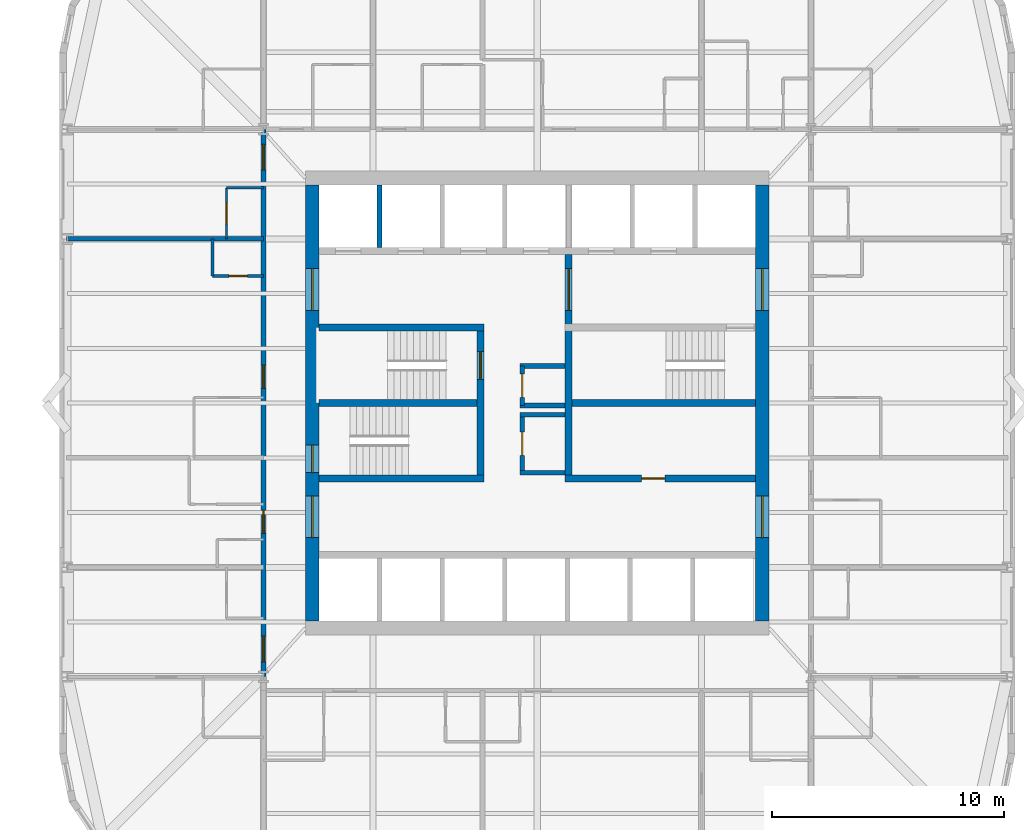
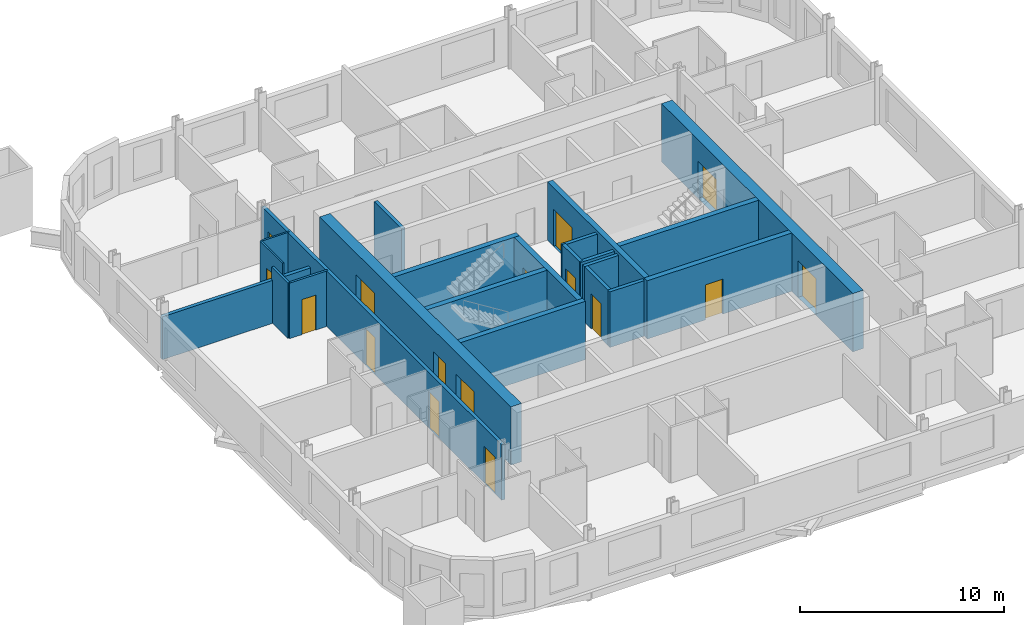
# One storey, part 4 of 9: 22 walls, 16 doors, 16 openings.
"""IFC4 building model written with IfcOpenShell, lengths in metres."""

from ifc_helpers import new_model, si_unit, direction, frame, frame_2d, origin, place, context, subcontext, project, spatial, rectangle, extrude, material, layer, layer_set, type_object, element, fill, save


model = new_model("IFC4")

# Units and contexts
model_context = context("Model", 3, precision=1e-05, world=origin(), true_north=direction((0.0, 1.0)))
body_context = subcontext(model_context, "Body", "Model", "MODEL_VIEW")
ifc_project = project(units=[si_unit("LENGTHUNIT", "METRE"), si_unit("AREAUNIT", "SQUARE_METRE"), si_unit("VOLUMEUNIT", "CUBIC_METRE"), si_unit("PLANEANGLEUNIT", "RADIAN"), si_unit("MASSUNIT", "GRAM", prefix="KILO")], contexts=[model_context])

# Site, building, storey
site_placement = place(None, origin())
site = spatial("IfcSite", under=ifc_project, at=site_placement, CompositionType="ELEMENT")
building_placement = place(site_placement, origin())
building = spatial("IfcBuilding", under=site, at=building_placement, Name="Turquesa Mirador Hotel Tower", CompositionType="ELEMENT")
storey_placement = place(building_placement, frame((0.0, 0.0, 124.89990234375)))
storey = spatial("IfcBuildingStorey", under=building, at=storey_placement, Name="L33", CompositionType="ELEMENT", Elevation=124.89990234375)

# Wall
ifc_material_1 = material(Name="Gypsum board on steel studs", Category="steel")
ifc_layer_1 = layer(ifc_material_1, 0.10009765625)
ifc_layer_set_1 = layer_set([ifc_layer_1], Name="BATHROOM WALL 100")
wall_type_1 = type_object("IfcWallType", Name="BATHROOM WALL 100", PredefinedType="PARTITIONING", material=ifc_layer_set_1)
wall_1_placement = place(storey_placement, frame((41.60009765625, 54.280029296875, 0.0), z_axis=(0.0, 0.0, 1.0), x_axis=(1.0, 0.0, 0.0)))
element("IfcWall", 1, at=wall_1_placement, inside=storey, type_object=wall_type_1, Name="Partition L33 041", PredefinedType="PARTITIONING", context=body_context, shape_type="SweptSolid", body=[
    extrude(rectangle(XDim=1.599853515625, YDim=0.10009765625, at=frame_2d((0.7998046875, 0.0))), origin(), (0.0, 0.0, 1.0), 3.330078125),
])

# Wall, opening, door
wall_2_placement = place(storey_placement, frame((41.60009765625, 52.080078125, 0.0), z_axis=(0.0, 0.0, 1.0), x_axis=(0.0, 1.0, 0.0)))
wall_2 = element("IfcWall", 2, at=wall_2_placement, inside=storey, type_object=wall_type_1, Name="Partition L33 048", PredefinedType="PARTITIONING", context=body_context, shape_type="SweptSolid", body=[
    extrude(rectangle(XDim=2.199951171875, YDim=0.10009765625, at=frame_2d((1.10009765625, 0.0))), origin(), (0.0, 0.0, 1.0), 3.330078125),
])
opening_1_placement = place(wall_2_placement, frame((0.64990234375, 0.0, 0.0)))
opening_1 = element("IfcOpeningElement", 3, at=opening_1_placement, cuts=wall_2, Name="Opening D06", PredefinedType="OPENING", context=body_context, shape_type="SweptSolid", body=[
    extrude(rectangle(XDim=0.89990234375, YDim=2.10009765625, at=frame_2d((0.449951171875, 1.050048828125))), frame((0.0, 0.06005859375, 0.0), z_axis=(0.0, -1.0, 0.0), x_axis=(1.0, 0.0, 0.0)), (0.0, 0.0, 1.0), 0.1201171875),
])
ifc_material_2 = material(Name="Laminate door", Category="wood")
door_type_1 = type_object("IfcDoorType", Name="DOOR 900X2100 WC", OperationType="SINGLE_SWING_LEFT", PredefinedType="DOOR", material=ifc_material_2)
door_1_placement = place(opening_1_placement, origin())
door_1 = element("IfcDoor", 4, at=door_1_placement, inside=storey, type_object=door_type_1, Name="Door 3312W", OperationType="SINGLE_SWING_LEFT", OverallHeight=2.10009765625, OverallWidth=0.89990234375, PredefinedType="DOOR", context=body_context, shape_type="SweptSolid", body=[
    extrude(rectangle(XDim=0.89990234375, YDim=2.10009765625, at=frame_2d((0.449951171875, 1.050048828125))), frame((0.0, 0.02490234375, 0.0), z_axis=(0.0, -1.0, 0.0), x_axis=(1.0, 0.0, 0.0)), (0.0, 0.0, 1.0), 0.050048828125),
])
fill(opening_1, door_1)

# Walls
ifc_material_3 = material(Name="Concrete C50/60", Category="concrete")
ifc_layer_2 = layer(ifc_material_3, 0.300048828125)
ifc_layer_set_2 = layer_set([ifc_layer_2], Name="CORE INNER WALL 300")
wall_type_2 = type_object("IfcWallType", Name="CORE INNER WALL 300", PredefinedType="SHEAR", material=ifc_layer_set_2)
for number, where, z_axis, x_axis, name in (
    (5, (45.60009765625, 48.25, 0.0), (0.0, 0.0, 1.0), (1.0, 0.0, 0.0), "Core wall MN-W"),
    (6, (45.60009765625, 41.75, 0.0), (0.0, 0.0, 1.0), (1.0, 0.0, 0.0), "Core wall MS-W"),
):
    element("IfcWall", number, at=place(storey_placement, frame(where, z_axis=z_axis, x_axis=x_axis)), inside=storey, type_object=wall_type_2, Name=name, PredefinedType="SHEAR", context=body_context, shape_type="SweptSolid", body=[
        extrude(rectangle(XDim=7.099853515625, YDim=0.300048828125, at=frame_2d((3.5498046875, 0.0))), origin(), (0.0, 0.0, 1.0), 3.5),
    ])

# Wall, opening, door
wall_3_placement = place(storey_placement, frame((56.199951171875, 41.75, 0.0), z_axis=(0.0, 0.0, 1.0), x_axis=(1.0, 0.0, 0.0)))
wall_3 = element("IfcWall", 7, at=wall_3_placement, inside=storey, type_object=wall_type_2, Name="Core wall MS-E", PredefinedType="SHEAR", context=body_context, shape_type="SweptSolid", body=[
    extrude(rectangle(XDim=8.199951171875, YDim=0.300048828125, at=frame_2d((4.10009765625, 0.0))), origin(), (0.0, 0.0, 1.0), 3.5),
])
opening_2_placement = place(wall_3_placement, frame((3.300048828125, 0.0, 0.0)))
opening_2 = element("IfcOpeningElement", 8, at=opening_2_placement, cuts=wall_3, Name="Opening D05", PredefinedType="OPENING", context=body_context, shape_type="SweptSolid", body=[
    extrude(rectangle(XDim=1.0, YDim=2.10009765625, at=frame_2d((0.5, 1.050048828125))), frame((0.0, 0.159912109375, 0.0), z_axis=(0.0, -1.0, 0.0), x_axis=(1.0, 0.0, 0.0)), (0.0, 0.0, 1.0), 0.320068359375),
])
ifc_material_4 = material(Name="Steel fire door", Category="steel")
door_type_2 = type_object("IfcDoorType", Name="DOOR 1000X2100 SERVICE", OperationType="SINGLE_SWING_LEFT", PredefinedType="DOOR", material=ifc_material_4)
door_2_placement = place(opening_2_placement, origin())
door_2 = element("IfcDoor", 9, at=door_2_placement, inside=storey, type_object=door_type_2, Name="Housekeeping room door", OperationType="SINGLE_SWING_LEFT", OverallHeight=2.10009765625, OverallWidth=1.0, PredefinedType="DOOR", context=body_context, shape_type="SweptSolid", body=[
    extrude(rectangle(XDim=1.0, YDim=2.10009765625, at=frame_2d((0.5, 1.050048828125))), frame((0.0, 0.02490234375, 0.0), z_axis=(0.0, -1.0, 0.0), x_axis=(1.0, 0.0, 0.0)), (0.0, 0.0, 1.0), 0.050048828125),
])
fill(opening_2, door_2)

wall_4_placement = place(storey_placement, frame((52.550048828125, 41.89990234375, 0.0), z_axis=(0.0, 0.0, 1.0), x_axis=(0.0, 1.0, 0.0)))
wall_4 = element("IfcWall", 10, at=wall_4_placement, inside=storey, type_object=wall_type_2, Name="Core wall PW", PredefinedType="SHEAR", context=body_context, shape_type="SweptSolid", body=[
    extrude(rectangle(XDim=6.2001953125, YDim=0.300048828125, at=frame_2d((3.10009765625, 0.0))), origin(), (0.0, 0.0, 1.0), 3.5),
])
opening_3_placement = place(wall_4_placement, frame((4.125, 0.0, 0.0)))
opening_3 = element("IfcOpeningElement", 11, at=opening_3_placement, cuts=wall_4, Name="Opening D03", PredefinedType="OPENING", context=body_context, shape_type="SweptSolid", body=[
    extrude(rectangle(XDim=1.199951171875, YDim=2.199951171875, at=frame_2d((0.60009765625, 1.10009765625))), frame((0.0, 0.159912109375, 0.0), z_axis=(0.0, -1.0, 0.0), x_axis=(1.0, 0.0, 0.0)), (0.0, 0.0, 1.0), 0.320068359375),
])
ifc_material_5 = material(Name="Steel fire door", Category="steel")
door_type_3 = type_object("IfcDoorType", Name="DOOR 1200X2200 STAIR", OperationType="SINGLE_SWING_LEFT", PredefinedType="DOOR", material=ifc_material_5)
door_3_placement = place(opening_3_placement, origin())
door_3 = element("IfcDoor", 12, at=door_3_placement, inside=storey, type_object=door_type_3, Name="Stair ST1 door", OperationType="SINGLE_SWING_LEFT", OverallHeight=2.199951171875, OverallWidth=1.199951171875, PredefinedType="DOOR", context=body_context, shape_type="SweptSolid", body=[
    extrude(rectangle(XDim=1.199951171875, YDim=2.199951171875, at=frame_2d((0.60009765625, 1.10009765625))), frame((0.0, 0.02490234375, 0.0), z_axis=(0.0, -1.0, 0.0), x_axis=(1.0, 0.0, 0.0)), (0.0, 0.0, 1.0), 0.050048828125),
])
fill(opening_3, door_3)

wall_5_placement = place(storey_placement, frame((56.35009765625, 41.89990234375, 0.0), z_axis=(0.0, 0.0, 1.0), x_axis=(0.0, 1.0, 0.0)))
wall_5 = element("IfcWall", 13, at=wall_5_placement, inside=storey, type_object=wall_type_2, Name="Core wall PE", PredefinedType="SHEAR", context=body_context, shape_type="SweptSolid", body=[
    extrude(rectangle(XDim=9.5, YDim=0.300048828125, at=frame_2d((4.75, 0.0))), origin(), (0.0, 0.0, 1.0), 3.5),
])
opening_4_placement = place(wall_5_placement, frame((7.10009765625, 0.0, 0.0)))
opening_4 = element("IfcOpeningElement", 14, at=opening_4_placement, cuts=wall_5, Name="Opening D04", PredefinedType="OPENING", context=body_context, shape_type="SweptSolid", body=[
    extrude(rectangle(XDim=1.800048828125, YDim=2.199951171875, at=frame_2d((0.89990234375, 1.10009765625))), frame((0.0, 0.159912109375, 0.0), z_axis=(0.0, -1.0, 0.0), x_axis=(1.0, 0.0, 0.0)), (0.0, 0.0, 1.0), 0.320068359375),
])
ifc_material_6 = material(Name="Steel fire door pair", Category="steel")
door_type_4 = type_object("IfcDoorType", Name="DOOR 1800X2200 PAIR", OperationType="DOUBLE_DOOR_SINGLE_SWING", PredefinedType="DOOR", material=ifc_material_6)
door_4_placement = place(opening_4_placement, origin())
door_4 = element("IfcDoor", 15, at=door_4_placement, inside=storey, type_object=door_type_4, Name="Firefighting lobby inner door", OperationType="DOUBLE_DOOR_SINGLE_SWING", OverallHeight=2.199951171875, OverallWidth=1.800048828125, PredefinedType="DOOR", context=body_context, shape_type="SweptSolid", body=[
    extrude(rectangle(XDim=1.800048828125, YDim=2.199951171875, at=frame_2d((0.89990234375, 1.10009765625))), frame((0.0, 0.02490234375, 0.0), z_axis=(0.0, -1.0, 0.0), x_axis=(1.0, 0.0, 0.0)), (0.0, 0.0, 1.0), 0.050048828125),
])
fill(opening_4, door_4)

# Walls
wall_6_placement = place(storey_placement, frame((45.60009765625, 45.0, 0.0), z_axis=(0.0, 0.0, 1.0), x_axis=(1.0, 0.0, 0.0)))
element("IfcWall", 16, at=wall_6_placement, inside=storey, type_object=wall_type_2, Name="Core wall M0-W", PredefinedType="SHEAR", context=body_context, shape_type="SweptSolid", body=[
    extrude(rectangle(XDim=6.7998046875, YDim=0.300048828125, at=frame_2d((3.39990234375, 0.0))), origin(), (0.0, 0.0, 1.0), 3.5),
])
wall_7_placement = place(storey_placement, frame((56.5, 45.0, 0.0), z_axis=(0.0, 0.0, 1.0), x_axis=(1.0, 0.0, 0.0)))
element("IfcWall", 17, at=wall_7_placement, inside=storey, type_object=wall_type_2, Name="Core wall M0-E", PredefinedType="SHEAR", context=body_context, shape_type="SweptSolid", body=[
    extrude(rectangle(XDim=7.89990234375, YDim=0.300048828125, at=frame_2d((3.949951171875, 0.0))), origin(), (0.0, 0.0, 1.0), 3.5),
])

# Wall, openings, doors
ifc_material_7 = material(Name="Concrete C50/60", Category="concrete")
ifc_layer_3 = layer(ifc_material_7, 0.60009765625)
ifc_layer_set_3 = layer_set([ifc_layer_3], Name="CORE WALL 600")
wall_type_3 = type_object("IfcWallType", Name="CORE WALL 600", PredefinedType="SHEAR", material=ifc_layer_set_3)
wall_8_placement = place(storey_placement, frame((64.699951171875, 35.60009765625, 0.0), z_axis=(0.0, 0.0, 1.0), x_axis=(0.0, 1.0, 0.0)))
wall_8 = element("IfcWall", 18, at=wall_8_placement, inside=storey, type_object=wall_type_3, Name="Core wall E", PredefinedType="SHEAR", context=body_context, shape_type="SweptSolid", body=[
    extrude(rectangle(XDim=18.7998046875, YDim=0.60009765625, at=frame_2d((9.39990234375, 0.0))), origin(), (0.0, 0.0, 1.0), 3.5),
])
opening_5_placement = place(wall_8_placement, frame((13.39990234375, 0.0, 0.0)))
opening_5 = element("IfcOpeningElement", 19, at=opening_5_placement, cuts=wall_8, Name="Opening D04", PredefinedType="OPENING", context=body_context, shape_type="SweptSolid", body=[
    extrude(rectangle(XDim=1.800048828125, YDim=2.199951171875, at=frame_2d((0.89990234375, 1.10009765625))), frame((0.0, 0.31005859375, 0.0), z_axis=(0.0, -1.0, 0.0), x_axis=(1.0, 0.0, 0.0)), (0.0, 0.0, 1.0), 0.6201171875),
])
opening_6_placement = place(wall_8_placement, frame((3.60009765625, 0.0, 0.0)))
opening_6 = element("IfcOpeningElement", 20, at=opening_6_placement, cuts=wall_8, Name="Opening D04", PredefinedType="OPENING", context=body_context, shape_type="SweptSolid", body=[
    extrude(rectangle(XDim=1.800048828125, YDim=2.199951171875, at=frame_2d((0.89990234375, 1.10009765625))), frame((0.0, 0.31005859375, 0.0), z_axis=(0.0, -1.0, 0.0), x_axis=(1.0, 0.0, 0.0)), (0.0, 0.0, 1.0), 0.6201171875),
])
door_5_placement = place(opening_5_placement, origin())
door_5 = element("IfcDoor", 21, at=door_5_placement, inside=storey, type_object=door_type_4, Name="Firefighting lobby door", OperationType="DOUBLE_DOOR_SINGLE_SWING", OverallHeight=2.199951171875, OverallWidth=1.800048828125, PredefinedType="DOOR", context=body_context, shape_type="SweptSolid", body=[
    extrude(rectangle(XDim=1.800048828125, YDim=2.199951171875, at=frame_2d((0.89990234375, 1.10009765625))), frame((0.0, 0.02490234375, 0.0), z_axis=(0.0, -1.0, 0.0), x_axis=(1.0, 0.0, 0.0)), (0.0, 0.0, 1.0), 0.050048828125),
])
fill(opening_5, door_5)
door_6_placement = place(opening_6_placement, origin())
door_6 = element("IfcDoor", 22, at=door_6_placement, inside=storey, type_object=door_type_4, Name="South lift lobby door", OperationType="DOUBLE_DOOR_SINGLE_SWING", OverallHeight=2.199951171875, OverallWidth=1.800048828125, PredefinedType="DOOR", context=body_context, shape_type="SweptSolid", body=[
    extrude(rectangle(XDim=1.800048828125, YDim=2.199951171875, at=frame_2d((0.89990234375, 1.10009765625))), frame((0.0, 0.02490234375, 0.0), z_axis=(0.0, -1.0, 0.0), x_axis=(1.0, 0.0, 0.0)), (0.0, 0.0, 1.0), 0.050048828125),
])
fill(opening_6, door_6)

wall_9_placement = place(storey_placement, frame((45.300048828125, 35.60009765625, 0.0), z_axis=(0.0, 0.0, 1.0), x_axis=(0.0, 1.0, 0.0)))
wall_9 = element("IfcWall", 23, at=wall_9_placement, inside=storey, type_object=wall_type_3, Name="Core wall W", PredefinedType="SHEAR", context=body_context, shape_type="SweptSolid", body=[
    extrude(rectangle(XDim=18.7998046875, YDim=0.60009765625, at=frame_2d((9.39990234375, 0.0))), origin(), (0.0, 0.0, 1.0), 3.5),
])
opening_7_placement = place(wall_9_placement, frame((13.39990234375, 0.0, 0.0)))
opening_7 = element("IfcOpeningElement", 24, at=opening_7_placement, cuts=wall_9, Name="Opening D04", PredefinedType="OPENING", context=body_context, shape_type="SweptSolid", body=[
    extrude(rectangle(XDim=1.800048828125, YDim=2.199951171875, at=frame_2d((0.89990234375, 1.10009765625))), frame((0.0, 0.31005859375, 0.0), z_axis=(0.0, -1.0, 0.0), x_axis=(1.0, 0.0, 0.0)), (0.0, 0.0, 1.0), 0.6201171875),
])
opening_8_placement = place(wall_9_placement, frame((3.60009765625, 0.0, 0.0)))
opening_8 = element("IfcOpeningElement", 25, at=opening_8_placement, cuts=wall_9, Name="Opening D04", PredefinedType="OPENING", context=body_context, shape_type="SweptSolid", body=[
    extrude(rectangle(XDim=1.800048828125, YDim=2.199951171875, at=frame_2d((0.89990234375, 1.10009765625))), frame((0.0, 0.31005859375, 0.0), z_axis=(0.0, -1.0, 0.0), x_axis=(1.0, 0.0, 0.0)), (0.0, 0.0, 1.0), 0.6201171875),
])
opening_9_placement = place(wall_9_placement, frame((6.39990234375, 0.0, 0.0)))
opening_9 = element("IfcOpeningElement", 26, at=opening_9_placement, cuts=wall_9, Name="Opening D03", PredefinedType="OPENING", context=body_context, shape_type="SweptSolid", body=[
    extrude(rectangle(XDim=1.199951171875, YDim=2.199951171875, at=frame_2d((0.60009765625, 1.10009765625))), frame((0.0, 0.31005859375, 0.0), z_axis=(0.0, -1.0, 0.0), x_axis=(1.0, 0.0, 0.0)), (0.0, 0.0, 1.0), 0.6201171875),
])
door_7_placement = place(opening_9_placement, origin())
door_7 = element("IfcDoor", 27, at=door_7_placement, inside=storey, type_object=door_type_3, Name="Stair ST2 door", OperationType="SINGLE_SWING_LEFT", OverallHeight=2.199951171875, OverallWidth=1.199951171875, PredefinedType="DOOR", context=body_context, shape_type="SweptSolid", body=[
    extrude(rectangle(XDim=1.199951171875, YDim=2.199951171875, at=frame_2d((0.60009765625, 1.10009765625))), frame((0.0, 0.02490234375, 0.0), z_axis=(0.0, -1.0, 0.0), x_axis=(1.0, 0.0, 0.0)), (0.0, 0.0, 1.0), 0.050048828125),
])
fill(opening_9, door_7)
door_8_placement = place(opening_7_placement, origin())
door_8 = element("IfcDoor", 28, at=door_8_placement, inside=storey, type_object=door_type_4, Name="North lift lobby door", OperationType="DOUBLE_DOOR_SINGLE_SWING", OverallHeight=2.199951171875, OverallWidth=1.800048828125, PredefinedType="DOOR", context=body_context, shape_type="SweptSolid", body=[
    extrude(rectangle(XDim=1.800048828125, YDim=2.199951171875, at=frame_2d((0.89990234375, 1.10009765625))), frame((0.0, 0.02490234375, 0.0), z_axis=(0.0, -1.0, 0.0), x_axis=(1.0, 0.0, 0.0)), (0.0, 0.0, 1.0), 0.050048828125),
])
fill(opening_7, door_8)
door_9_placement = place(opening_8_placement, origin())
door_9 = element("IfcDoor", 29, at=door_9_placement, inside=storey, type_object=door_type_4, Name="South lift lobby door", OperationType="DOUBLE_DOOR_SINGLE_SWING", OverallHeight=2.199951171875, OverallWidth=1.800048828125, PredefinedType="DOOR", context=body_context, shape_type="SweptSolid", body=[
    extrude(rectangle(XDim=1.800048828125, YDim=2.199951171875, at=frame_2d((0.89990234375, 1.10009765625))), frame((0.0, 0.02490234375, 0.0), z_axis=(0.0, -1.0, 0.0), x_axis=(1.0, 0.0, 0.0)), (0.0, 0.0, 1.0), 0.050048828125),
])
fill(opening_8, door_9)

ifc_material_8 = material(Name="Fire-rated gypsum board on steel studs", Category="steel")
ifc_layer_4 = layer(ifc_material_8, 0.199951171875)
ifc_layer_set_4 = layer_set([ifc_layer_4], Name="CORRIDOR WALL 200")
wall_type_4 = type_object("IfcWallType", Name="CORRIDOR WALL 200", PredefinedType="PARTITIONING", material=ifc_layer_set_4)
wall_10_placement = place(storey_placement, frame((43.199951171875, 33.219970703125, 0.0), z_axis=(0.0, 0.0, 1.0), x_axis=(0.0, 1.0, 0.0)))
wall_10 = element("IfcWall", 30, at=wall_10_placement, inside=storey, type_object=wall_type_4, Name="Partition L33 044", PredefinedType="PARTITIONING", context=body_context, shape_type="SweptSolid", body=[
    extrude(rectangle(XDim=23.580078125, YDim=0.199951171875, at=frame_2d((11.7900390625, 0.0))), origin(), (0.0, 0.0, 1.0), 3.330078125),
])
opening_10_placement = place(wall_10_placement, frame((6.159912109375, 0.0, 0.0)))
opening_10 = element("IfcOpeningElement", 31, at=opening_10_placement, cuts=wall_10, Name="Opening D01", PredefinedType="OPENING", context=body_context, shape_type="SweptSolid", body=[
    extrude(rectangle(XDim=1.0, YDim=2.199951171875, at=frame_2d((0.5, 1.10009765625))), frame((0.0, 0.10986328125, 0.0), z_axis=(0.0, -1.0, 0.0), x_axis=(1.0, 0.0, 0.0)), (0.0, 0.0, 1.0), 0.219970703125),
])
opening_11_placement = place(wall_10_placement, frame((12.419921875, 0.0, 0.0)))
opening_11 = element("IfcOpeningElement", 32, at=opening_11_placement, cuts=wall_10, Name="Opening D01", PredefinedType="OPENING", context=body_context, shape_type="SweptSolid", body=[
    extrude(rectangle(XDim=1.0, YDim=2.199951171875, at=frame_2d((0.5, 1.10009765625))), frame((0.0, 0.10986328125, 0.0), z_axis=(0.0, -1.0, 0.0), x_axis=(1.0, 0.0, 0.0)), (0.0, 0.0, 1.0), 0.219970703125),
])
opening_12_placement = place(wall_10_placement, frame((21.830078125, 0.0, 0.0)))
opening_12 = element("IfcOpeningElement", 33, at=opening_12_placement, cuts=wall_10, Name="Opening D15", PredefinedType="OPENING", context=body_context, shape_type="SweptSolid", body=[
    extrude(rectangle(XDim=1.10009765625, YDim=2.199951171875, at=frame_2d((0.550048828125, 1.10009765625))), frame((0.0, 0.10986328125, 0.0), z_axis=(0.0, -1.0, 0.0), x_axis=(1.0, 0.0, 0.0)), (0.0, 0.0, 1.0), 0.219970703125),
])
opening_13_placement = place(wall_10_placement, frame((0.6298828125, 0.0, 0.0)))
opening_13 = element("IfcOpeningElement", 34, at=opening_13_placement, cuts=wall_10, Name="Opening D15", PredefinedType="OPENING", context=body_context, shape_type="SweptSolid", body=[
    extrude(rectangle(XDim=1.10009765625, YDim=2.199951171875, at=frame_2d((0.550048828125, 1.10009765625))), frame((0.0, 0.10986328125, 0.0), z_axis=(0.0, -1.0, 0.0), x_axis=(1.0, 0.0, 0.0)), (0.0, 0.0, 1.0), 0.219970703125),
])
ifc_material_9 = material(Name="Timber veneered fire door", Category="wood")
door_type_5 = type_object("IfcDoorType", Name="DOOR 1000X2200 GUEST ENTRY", OperationType="SINGLE_SWING_LEFT", PredefinedType="DOOR", material=ifc_material_9)
door_10_placement = place(opening_10_placement, origin())
door_10 = element("IfcDoor", 35, at=door_10_placement, inside=storey, type_object=door_type_5, Name="Door 3309", OperationType="SINGLE_SWING_LEFT", OverallHeight=2.199951171875, OverallWidth=1.0, PredefinedType="DOOR", context=body_context, shape_type="SweptSolid", body=[
    extrude(rectangle(XDim=1.0, YDim=2.199951171875, at=frame_2d((0.5, 1.10009765625))), frame((0.0, 0.02490234375, 0.0), z_axis=(0.0, -1.0, 0.0), x_axis=(1.0, 0.0, 0.0)), (0.0, 0.0, 1.0), 0.050048828125),
])
fill(opening_10, door_10)
door_11_placement = place(opening_11_placement, origin())
door_11 = element("IfcDoor", 36, at=door_11_placement, inside=storey, type_object=door_type_5, Name="Door 3310", OperationType="SINGLE_SWING_LEFT", OverallHeight=2.199951171875, OverallWidth=1.0, PredefinedType="DOOR", context=body_context, shape_type="SweptSolid", body=[
    extrude(rectangle(XDim=1.0, YDim=2.199951171875, at=frame_2d((0.5, 1.10009765625))), frame((0.0, 0.02490234375, 0.0), z_axis=(0.0, -1.0, 0.0), x_axis=(1.0, 0.0, 0.0)), (0.0, 0.0, 1.0), 0.050048828125),
])
fill(opening_11, door_11)
ifc_material_10 = material(Name="Timber veneered fire door", Category="wood")
door_type_6 = type_object("IfcDoorType", Name="DOOR 1100X2200 SUITE ENTRY", OperationType="SINGLE_SWING_LEFT", PredefinedType="DOOR", material=ifc_material_10)
door_12_placement = place(opening_12_placement, origin())
door_12 = element("IfcDoor", 37, at=door_12_placement, inside=storey, type_object=door_type_6, Name="Door 3312", OperationType="SINGLE_SWING_LEFT", OverallHeight=2.199951171875, OverallWidth=1.10009765625, PredefinedType="DOOR", context=body_context, shape_type="SweptSolid", body=[
    extrude(rectangle(XDim=1.10009765625, YDim=2.199951171875, at=frame_2d((0.550048828125, 1.10009765625))), frame((0.0, 0.02490234375, 0.0), z_axis=(0.0, -1.0, 0.0), x_axis=(1.0, 0.0, 0.0)), (0.0, 0.0, 1.0), 0.050048828125),
])
fill(opening_12, door_12)
door_13_placement = place(opening_13_placement, origin())
door_13 = element("IfcDoor", 38, at=door_13_placement, inside=storey, type_object=door_type_6, Name="Door 3313", OperationType="SINGLE_SWING_LEFT", OverallHeight=2.199951171875, OverallWidth=1.10009765625, PredefinedType="DOOR", context=body_context, shape_type="SweptSolid", body=[
    extrude(rectangle(XDim=1.10009765625, YDim=2.199951171875, at=frame_2d((0.550048828125, 1.10009765625))), frame((0.0, 0.02490234375, 0.0), z_axis=(0.0, -1.0, 0.0), x_axis=(1.0, 0.0, 0.0)), (0.0, 0.0, 1.0), 0.050048828125),
])
fill(opening_13, door_13)

# Wall, opening, door
ifc_material_11 = material(Name="Fire-rated gypsum board on steel studs", Category="steel")
ifc_layer_5 = layer(ifc_material_11, 0.199951171875)
ifc_layer_set_5 = layer_set([ifc_layer_5], Name="FIRE PARTITION 200")
wall_type_5 = type_object("IfcWallType", Name="FIRE PARTITION 200", PredefinedType="PARTITIONING", material=ifc_layer_set_5)
wall_11_placement = place(storey_placement, frame((54.35009765625, 42.0, 0.0), z_axis=(0.0, 0.0, 1.0), x_axis=(0.0, 1.0, 0.0)))
wall_11 = element("IfcWall", 39, at=wall_11_placement, inside=storey, type_object=wall_type_5, Name="Partition L33 PT W", PredefinedType="PARTITIONING", context=body_context, shape_type="SweptSolid", body=[
    extrude(rectangle(XDim=2.5, YDim=0.199951171875, at=frame_2d((1.25, 0.0))), origin(), (0.0, 0.0, 1.0), 3.330078125),
])
opening_14_placement = place(wall_11_placement, frame((0.75, 0.0, 0.0)))
opening_14 = element("IfcOpeningElement", 40, at=opening_14_placement, cuts=wall_11, Name="Opening D05", PredefinedType="OPENING", context=body_context, shape_type="SweptSolid", body=[
    extrude(rectangle(XDim=1.0, YDim=2.10009765625, at=frame_2d((0.5, 1.050048828125))), frame((0.0, 0.10986328125, 0.0), z_axis=(0.0, -1.0, 0.0), x_axis=(1.0, 0.0, 0.0)), (0.0, 0.0, 1.0), 0.219970703125),
])
door_14_placement = place(opening_14_placement, origin())
door_14 = element("IfcDoor", 41, at=door_14_placement, inside=storey, type_object=door_type_2, Name="Floor pantry door", OperationType="SINGLE_SWING_LEFT", OverallHeight=2.10009765625, OverallWidth=1.0, PredefinedType="DOOR", context=body_context, shape_type="SweptSolid", body=[
    extrude(rectangle(XDim=1.0, YDim=2.10009765625, at=frame_2d((0.5, 1.050048828125))), frame((0.0, 0.02490234375, 0.0), z_axis=(0.0, -1.0, 0.0), x_axis=(1.0, 0.0, 0.0)), (0.0, 0.0, 1.0), 0.050048828125),
])
fill(opening_14, door_14)

# Walls
for number, where, z_axis, x_axis, name in (
    (42, (54.25, 42.0, 0.0), (0.0, 0.0, 1.0), (1.0, 0.0, 0.0), "Partition L33 PT S"),
    (43, (54.25, 44.5, 0.0), (0.0, 0.0, 1.0), (1.0, 0.0, 0.0), "Partition L33 PT N"),
):
    element("IfcWall", number, at=place(storey_placement, frame(where, z_axis=z_axis, x_axis=x_axis)), inside=storey, type_object=wall_type_5, Name=name, PredefinedType="PARTITIONING", context=body_context, shape_type="SweptSolid", body=[
        extrude(rectangle(XDim=1.949951171875, YDim=0.199951171875, at=frame_2d((0.97509765625, 0.0))), origin(), (0.0, 0.0, 1.0), 3.330078125),
    ])

# Wall, opening, door
wall_12_placement = place(storey_placement, frame((54.35009765625, 44.89990234375, 0.0), z_axis=(0.0, 0.0, 1.0), x_axis=(0.0, 1.0, 0.0)))
wall_12 = element("IfcWall", 44, at=wall_12_placement, inside=storey, type_object=wall_type_5, Name="Partition L33 SW W", PredefinedType="PARTITIONING", context=body_context, shape_type="SweptSolid", body=[
    extrude(rectangle(XDim=1.7001953125, YDim=0.199951171875, at=frame_2d((0.85009765625, 0.0))), origin(), (0.0, 0.0, 1.0), 3.330078125),
])
opening_15_placement = place(wall_12_placement, frame((0.35009765625, 0.0, 0.0)))
opening_15 = element("IfcOpeningElement", 45, at=opening_15_placement, cuts=wall_12, Name="Opening D05", PredefinedType="OPENING", context=body_context, shape_type="SweptSolid", body=[
    extrude(rectangle(XDim=1.0, YDim=2.10009765625, at=frame_2d((0.5, 1.050048828125))), frame((0.0, 0.10986328125, 0.0), z_axis=(0.0, -1.0, 0.0), x_axis=(1.0, 0.0, 0.0)), (0.0, 0.0, 1.0), 0.219970703125),
])
door_15_placement = place(opening_15_placement, origin())
door_15 = element("IfcDoor", 46, at=door_15_placement, inside=storey, type_object=door_type_2, Name="Staff WC door", OperationType="SINGLE_SWING_LEFT", OverallHeight=2.10009765625, OverallWidth=1.0, PredefinedType="DOOR", context=body_context, shape_type="SweptSolid", body=[
    extrude(rectangle(XDim=1.0, YDim=2.10009765625, at=frame_2d((0.5, 1.050048828125))), frame((0.0, 0.02490234375, 0.0), z_axis=(0.0, -1.0, 0.0), x_axis=(1.0, 0.0, 0.0)), (0.0, 0.0, 1.0), 0.050048828125),
])
fill(opening_15, door_15)

# Walls
for number, where, z_axis, x_axis, name in (
    (47, (54.25, 44.89990234375, 0.0), (0.0, 0.0, 1.0), (1.0, 0.0, 0.0), "Partition L33 SW S"),
    (48, (54.25, 46.60009765625, 0.0), (0.0, 0.0, 1.0), (1.0, 0.0, 0.0), "Partition L33 SW N"),
):
    element("IfcWall", number, at=place(storey_placement, frame(where, z_axis=z_axis, x_axis=x_axis)), inside=storey, type_object=wall_type_5, Name=name, PredefinedType="PARTITIONING", context=body_context, shape_type="SweptSolid", body=[
        extrude(rectangle(XDim=1.949951171875, YDim=0.199951171875, at=frame_2d((0.97509765625, 0.0))), origin(), (0.0, 0.0, 1.0), 3.330078125),
    ])
ifc_material_12 = material(Name="Fire-rated gypsum shaft wall on steel studs", Category="steel")
ifc_layer_6 = layer(ifc_material_12, 0.199951171875)
ifc_layer_set_6 = layer_set([ifc_layer_6], Name="LIFT SHAFT DIVIDER 200")
wall_type_6 = type_object("IfcWallType", Name="LIFT SHAFT DIVIDER 200", PredefinedType="PARTITIONING", material=ifc_layer_set_6)
wall_13_placement = place(storey_placement, frame((48.199951171875, 51.699951171875, 0.0), z_axis=(0.0, 0.0, 1.0), x_axis=(0.0, 1.0, 0.0)))
element("IfcWall", 49, at=wall_13_placement, inside=storey, type_object=wall_type_6, Name="Lift shaft divider", PredefinedType="PARTITIONING", context=body_context, shape_type="SweptSolid", body=[
    extrude(rectangle(XDim=2.699951171875, YDim=0.199951171875, at=frame_2d((1.35009765625, 0.0))), origin(), (0.0, 0.0, 1.0), 3.330078125),
])
ifc_material_13 = material(Name="Fire-rated gypsum board on steel studs", Category="steel")
ifc_layer_7 = layer(ifc_material_13, 0.199951171875)
ifc_layer_set_7 = layer_set([ifc_layer_7], Name="PARTY WALL 200")
wall_type_7 = type_object("IfcWallType", Name="PARTY WALL 200", PredefinedType="PARTITIONING", material=ifc_layer_set_7)
wall_14_placement = place(storey_placement, frame((34.699951171875, 52.080078125, 0.0), z_axis=(0.0, 0.0, 1.0), x_axis=(1.0, 0.0, 0.0)))
element("IfcWall", 50, at=wall_14_placement, inside=storey, type_object=wall_type_7, Name="Partition L33 039", PredefinedType="PARTITIONING", context=body_context, shape_type="SweptSolid", body=[
    extrude(rectangle(XDim=8.5, YDim=0.199951171875, at=frame_2d((4.25, 0.0))), origin(), (0.0, 0.0, 1.0), 2.5732421875),
])

# Wall, opening, door
ifc_material_14 = material(Name="Acoustic gypsum board on steel studs", Category="steel")
ifc_layer_8 = layer(ifc_material_14, 0.125)
ifc_layer_set_8 = layer_set([ifc_layer_8], Name="SUITE PARTITION 125")
wall_type_8 = type_object("IfcWallType", Name="SUITE PARTITION 125", PredefinedType="PARTITIONING", material=ifc_layer_set_8)
wall_15_placement = place(storey_placement, frame((41.0, 50.47998046875, 0.0), z_axis=(0.0, 0.0, 1.0), x_axis=(1.0, 0.0, 0.0)))
wall_15 = element("IfcWall", 51, at=wall_15_placement, inside=storey, type_object=wall_type_8, Name="Partition L33 037", PredefinedType="PARTITIONING", context=body_context, shape_type="SweptSolid", body=[
    extrude(rectangle(XDim=2.199951171875, YDim=0.125, at=frame_2d((1.10009765625, 0.0))), origin(), (0.0, 0.0, 1.0), 3.330078125),
])
opening_16_placement = place(wall_15_placement, frame((0.699951171875, 0.0, 0.0)))
opening_16 = element("IfcOpeningElement", 52, at=opening_16_placement, cuts=wall_15, Name="Opening D20", PredefinedType="OPENING", context=body_context, shape_type="SweptSolid", body=[
    extrude(rectangle(XDim=0.800048828125, YDim=2.10009765625, at=frame_2d((0.39990234375, 1.050048828125))), frame((0.0, 0.072509765625, 0.0), z_axis=(0.0, -1.0, 0.0), x_axis=(1.0, 0.0, 0.0)), (0.0, 0.0, 1.0), 0.14501953125),
])
ifc_material_15 = material(Name="Timber veneered sliding door", Category="wood")
door_type_7 = type_object("IfcDoorType", Name="DOOR 800X2100 WARDROBE", OperationType="SLIDING_TO_LEFT", PredefinedType="DOOR", material=ifc_material_15)
door_16_placement = place(opening_16_placement, origin())
door_16 = element("IfcDoor", 53, at=door_16_placement, inside=storey, type_object=door_type_7, Name="Door 3310W", OperationType="SLIDING_TO_LEFT", OverallHeight=2.10009765625, OverallWidth=0.800048828125, PredefinedType="DOOR", context=body_context, shape_type="SweptSolid", body=[
    extrude(rectangle(XDim=0.800048828125, YDim=2.10009765625, at=frame_2d((0.39990234375, 1.050048828125))), frame((0.0, 0.02490234375, 0.0), z_axis=(0.0, -1.0, 0.0), x_axis=(1.0, 0.0, 0.0)), (0.0, 0.0, 1.0), 0.050048828125),
])
fill(opening_16, door_16)

# Wall
wall_16_placement = place(storey_placement, frame((41.0, 50.47998046875, 0.0), z_axis=(0.0, 0.0, 1.0), x_axis=(0.0, 1.0, 0.0)))
element("IfcWall", 54, at=wall_16_placement, inside=storey, type_object=wall_type_8, Name="Partition L33 050", PredefinedType="PARTITIONING", context=body_context, shape_type="SweptSolid", body=[
    extrude(rectangle(XDim=1.60009765625, YDim=0.125, at=frame_2d((0.800048828125, 0.0))), origin(), (0.0, 0.0, 1.0), 3.330078125),
])

save(model, "model.ifc")
